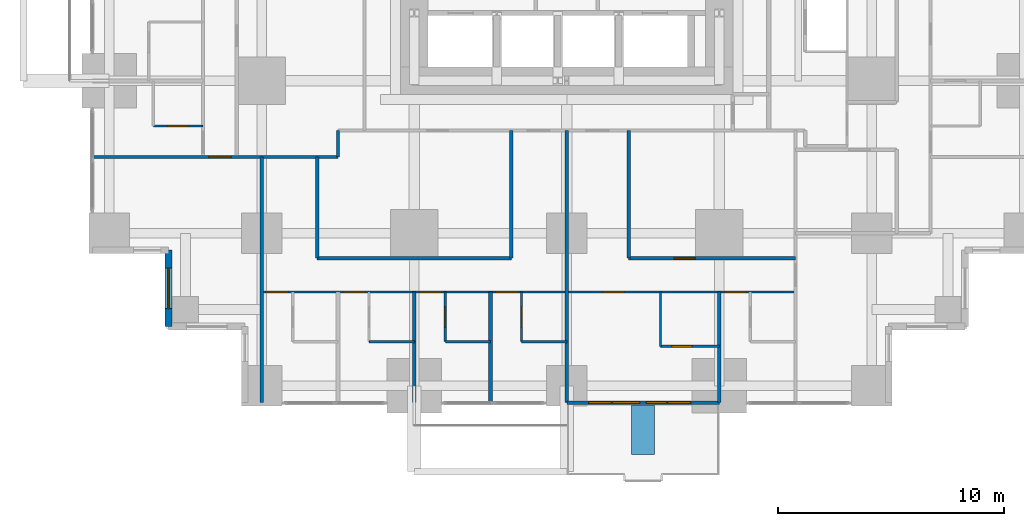
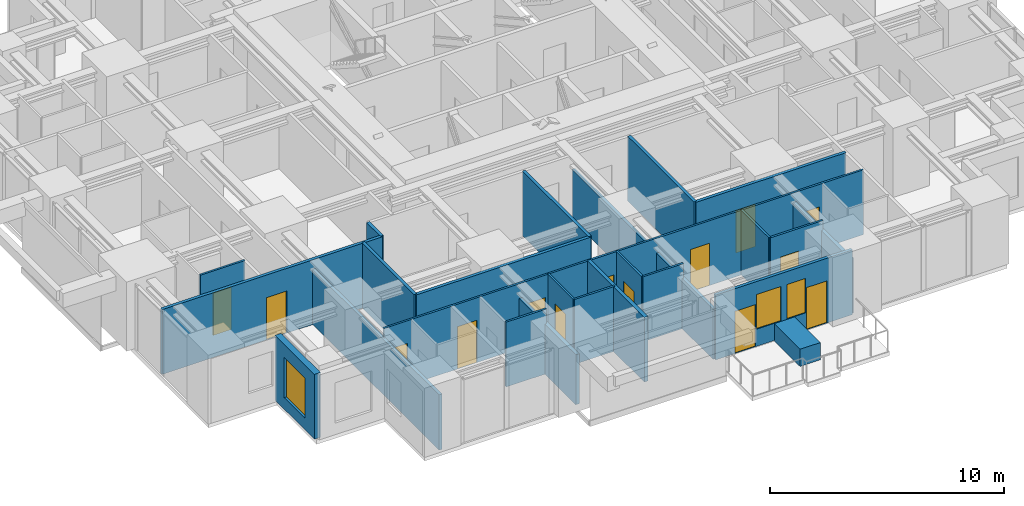
# One storey, part 7 of 13: 24 walls, 14 doors, 3 windows, 17 openings.
"""IFC4 building model written with IfcOpenShell, lengths in metres."""

from ifc_helpers import new_model, si_unit, direction, frame, frame_2d, origin, place, context, subcontext, project, spatial, rectangle, extrude, material, layer, layer_set, type_object, element, fill, save


model = new_model("IFC4")

# Units and contexts
model_context = context("Model", 3, precision=1e-05, world=origin(), true_north=direction((0.0, 1.0)))
body_context = subcontext(model_context, "Body", "Model", "MODEL_VIEW")
ifc_project = project(units=[si_unit("LENGTHUNIT", "METRE"), si_unit("AREAUNIT", "SQUARE_METRE"), si_unit("VOLUMEUNIT", "CUBIC_METRE"), si_unit("PLANEANGLEUNIT", "RADIAN"), si_unit("MASSUNIT", "GRAM", prefix="KILO")], contexts=[model_context])

# Site, building, storey
site_placement = place(None, origin())
site = spatial("IfcSite", under=ifc_project, at=site_placement, CompositionType="ELEMENT")
building_placement = place(site_placement, origin())
building = spatial("IfcBuilding", under=site, at=building_placement, Name="Nyansa Garden Tower", CompositionType="ELEMENT")
storey_placement = place(building_placement, frame((0.0, 0.0, 83.699951171875)))
storey = spatial("IfcBuildingStorey", under=building, at=storey_placement, Name="L22", CompositionType="ELEMENT", Elevation=83.699951171875)

# Walls
ifc_material_1 = material(Name="Dense blockwork, plastered both sides, 55 dB", Category="masonry")
ifc_layer_1 = layer(ifc_material_1, 0.175048828125)
ifc_layer_set_1 = layer_set([ifc_layer_1], Name="Acoustic party wall PW175")
wall_type_1 = type_object("IfcWallType", Name="Acoustic party wall PW175", PredefinedType="PARTITIONING", material=ifc_layer_set_1)
wall_1_placement = place(storey_placement, frame((13.5, -0.73388671875, 0.0), z_axis=(0.0, 0.0, 1.0), x_axis=(0.0, 1.0, 0.0)))
element("IfcWall", 1, at=wall_1_placement, inside=storey, type_object=wall_type_1, Name="Party wall", PredefinedType="PARTITIONING", context=body_context, shape_type="SweptSolid", body=[
    extrude(rectangle(XDim=4.8837890625, YDim=0.175048828125, at=frame_2d((2.44189453125, 0.0))), origin(), (0.0, 0.0, 1.0), 2.610107421875),
])
wall_2_placement = place(storey_placement, frame((16.875, -0.73388671875, 0.0), z_axis=(0.0, 0.0, 1.0), x_axis=(0.0, 1.0, 0.0)))
element("IfcWall", 2, at=wall_2_placement, inside=storey, type_object=wall_type_1, Name="Party wall", PredefinedType="PARTITIONING", context=body_context, shape_type="SweptSolid", body=[
    extrude(rectangle(XDim=4.8837890625, YDim=0.175048828125, at=frame_2d((2.44189453125, 0.0))), origin(), (0.0, 0.0, 1.0), 3.375),
])
wall_3_placement = place(storey_placement, frame((27.0, -0.73388671875, 0.0), z_axis=(0.0, 0.0, 1.0), x_axis=(0.0, 1.0, 0.0)))
element("IfcWall", 3, at=wall_3_placement, inside=storey, type_object=wall_type_1, Name="Party wall", PredefinedType="PARTITIONING", context=body_context, shape_type="SweptSolid", body=[
    extrude(rectangle(XDim=4.8837890625, YDim=0.175048828125, at=frame_2d((2.44189453125, 0.0))), origin(), (0.0, 0.0, 1.0), 2.876953125),
])

# Wall, openings, doors, windows
ifc_material_2 = material(Name="Black aluminium framed glazed screen", Category="aluminium")
ifc_layer_2 = layer(ifc_material_2, 0.14990234375)
ifc_layer_set_2 = layer_set([ifc_layer_2], Name="Balcony screen wall BW150")
wall_type_2 = type_object("IfcWallType", Name="Balcony screen wall BW150", PredefinedType="SOLIDWALL", material=ifc_layer_set_2)
wall_4_placement = place(storey_placement, frame((27.0, -0.75, 0.0), z_axis=(0.0, 0.0, 1.0), x_axis=(-1.0, 0.0, 0.0)))
wall_4 = element("IfcWall", 4, at=wall_4_placement, inside=storey, type_object=wall_type_2, Name="Glazed screen wall L22 S", PredefinedType="SOLIDWALL", context=body_context, shape_type="SweptSolid", body=[
    extrude(rectangle(XDim=6.75, YDim=0.14990234375, at=frame_2d((3.375, 0.0))), origin(), (0.0, 0.0, 1.0), 3.375),
])
opening_1_placement = place(wall_4_placement, frame((1.262451171875, 0.0, 0.0)))
opening_1 = element("IfcOpeningElement", 5, at=opening_1_placement, cuts=wall_4, Name="Opening D20", PredefinedType="OPENING", context=body_context, shape_type="SweptSolid", body=[
    extrude(rectangle(XDim=1.0, YDim=2.199951171875, at=frame_2d((0.5, 1.10009765625))), frame((0.0, 0.0849609375, 0.0), z_axis=(0.0, -1.0, 0.0), x_axis=(1.0, 0.0, 0.0)), (0.0, 0.0, 1.0), 0.169921875),
])
opening_2_placement = place(wall_4_placement, frame((2.324951171875, 0.0, 0.89990234375)))
opening_2 = element("IfcOpeningElement", 6, at=opening_2_placement, cuts=wall_4, Name="Opening W7", PredefinedType="OPENING", context=body_context, shape_type="SweptSolid", body=[
    extrude(rectangle(XDim=0.89990234375, YDim=1.800048828125, at=frame_2d((0.449951171875, 0.89990234375))), frame((0.0, 0.0849609375, 0.0), z_axis=(0.0, -1.0, 0.0), x_axis=(1.0, 0.0, 0.0)), (0.0, 0.0, 1.0), 0.169921875),
])
opening_3_placement = place(wall_4_placement, frame((4.78759765625, 0.0, 0.0)))
opening_3 = element("IfcOpeningElement", 7, at=opening_3_placement, cuts=wall_4, Name="Opening D20", PredefinedType="OPENING", context=body_context, shape_type="SweptSolid", body=[
    extrude(rectangle(XDim=1.0, YDim=2.199951171875, at=frame_2d((0.5, 1.10009765625))), frame((0.0, 0.0849609375, 0.0), z_axis=(0.0, -1.0, 0.0), x_axis=(1.0, 0.0, 0.0)), (0.0, 0.0, 1.0), 0.169921875),
])
opening_4_placement = place(wall_4_placement, frame((3.52490234375, 0.0, 0.89990234375)))
opening_4 = element("IfcOpeningElement", 8, at=opening_4_placement, cuts=wall_4, Name="Opening W6", PredefinedType="OPENING", context=body_context, shape_type="SweptSolid", body=[
    extrude(rectangle(XDim=1.199951171875, YDim=1.800048828125, at=frame_2d((0.60009765625, 0.89990234375))), frame((0.0, 0.0849609375, 0.0), z_axis=(0.0, -1.0, 0.0), x_axis=(1.0, 0.0, 0.0)), (0.0, 0.0, 1.0), 0.169921875),
])
ifc_material_3 = material(Name="Black aluminium framed glazed door", Category="aluminium")
door_type_1 = type_object("IfcDoorType", Name="Balcony door D20 1000x2200", OperationType="NOTDEFINED", PredefinedType="DOOR", material=ifc_material_3)
door_1_placement = place(opening_1_placement, origin())
door_1 = element("IfcDoor", 9, at=door_1_placement, inside=storey, type_object=door_type_1, Name="Balcony door L22", OperationType="SINGLE_SWING_LEFT", OverallHeight=2.199951171875, OverallWidth=1.0, PredefinedType="DOOR", context=body_context, shape_type="SweptSolid", body=[
    extrude(rectangle(XDim=1.0, YDim=2.199951171875, at=frame_2d((0.5, 1.10009765625))), frame((0.0, 0.02490234375, 0.0), z_axis=(0.0, -1.0, 0.0), x_axis=(1.0, 0.0, 0.0)), (0.0, 0.0, 1.0), 0.050048828125),
])
fill(opening_1, door_1)
door_2_placement = place(opening_3_placement, origin())
door_2 = element("IfcDoor", 10, at=door_2_placement, inside=storey, type_object=door_type_1, Name="Balcony door L22", OperationType="SINGLE_SWING_RIGHT", OverallHeight=2.199951171875, OverallWidth=1.0, PredefinedType="DOOR", context=body_context, shape_type="SweptSolid", body=[
    extrude(rectangle(XDim=1.0, YDim=2.199951171875, at=frame_2d((0.5, 1.10009765625))), frame((0.0, 0.02490234375, 0.0), z_axis=(0.0, -1.0, 0.0), x_axis=(1.0, 0.0, 0.0)), (0.0, 0.0, 1.0), 0.050048828125),
])
fill(opening_3, door_2)
ifc_material_4 = material(Name="Black aluminium frame, dark tinted double glazing", Category="aluminium")
window_type_1 = type_object("IfcWindowType", Name="Balcony window W6 1200x1800", PartitioningType="SINGLE_PANEL", PredefinedType="WINDOW", material=ifc_material_4)
window_1_placement = place(opening_4_placement, origin())
window_1 = element("IfcWindow", 11, at=window_1_placement, inside=storey, type_object=window_type_1, Name="Window L22", OverallHeight=1.800048828125, OverallWidth=1.199951171875, PartitioningType="SINGLE_PANEL", PredefinedType="WINDOW", context=body_context, shape_type="SweptSolid", body=[
    extrude(rectangle(XDim=1.199951171875, YDim=1.800048828125, at=frame_2d((0.60009765625, 0.89990234375))), frame((0.0, 0.030029296875, 0.0), z_axis=(0.0, -1.0, 0.0), x_axis=(1.0, 0.0, 0.0)), (0.0, 0.0, 1.0), 0.06005859375),
])
fill(opening_4, window_1)
ifc_material_5 = material(Name="Black aluminium frame, dark tinted double glazing", Category="aluminium")
window_type_2 = type_object("IfcWindowType", Name="Balcony window W7 900x1800", PartitioningType="SINGLE_PANEL", PredefinedType="WINDOW", material=ifc_material_5)
window_2_placement = place(opening_2_placement, origin())
window_2 = element("IfcWindow", 12, at=window_2_placement, inside=storey, type_object=window_type_2, Name="Window L22", OverallHeight=1.800048828125, OverallWidth=0.89990234375, PartitioningType="SINGLE_PANEL", PredefinedType="WINDOW", context=body_context, shape_type="SweptSolid", body=[
    extrude(rectangle(XDim=0.89990234375, YDim=1.800048828125, at=frame_2d((0.449951171875, 0.89990234375))), frame((0.0, 0.030029296875, 0.0), z_axis=(0.0, -1.0, 0.0), x_axis=(1.0, 0.0, 0.0)), (0.0, 0.0, 1.0), 0.06005859375),
])
fill(opening_2, window_2)

# Wall, opening, door
ifc_material_6 = material(Name="Blockwork, plastered both sides", Category="masonry")
ifc_layer_3 = layer(ifc_material_6, 0.14990234375)
ifc_layer_set_3 = layer_set([ifc_layer_3], Name="Partition PW150")
wall_type_3 = type_object("IfcWallType", Name="Partition PW150", PredefinedType="PARTITIONING", material=ifc_layer_set_3)
wall_5_placement = place(storey_placement, frame((-0.73388671875, 10.125, 0.0), z_axis=(0.0, 0.0, 1.0), x_axis=(1.0, 0.0, 0.0)))
wall_5 = element("IfcWall", 13, at=wall_5_placement, inside=storey, type_object=wall_type_3, Name="Partition", PredefinedType="PARTITIONING", context=body_context, shape_type="SweptSolid", body=[
    extrude(rectangle(XDim=10.85888671875, YDim=0.14990234375, at=frame_2d((5.429443359375, 0.0))), origin(), (0.0, 0.0, 1.0), 3.375),
])
opening_5_placement = place(wall_5_placement, frame((5.134033203125, 0.0, 0.0)))
opening_5 = element("IfcOpeningElement", 14, at=opening_5_placement, cuts=wall_5, Name="Opening D03", PredefinedType="OPENING", context=body_context, shape_type="SweptSolid", body=[
    extrude(rectangle(XDim=1.0, YDim=2.199951171875, at=frame_2d((0.5, 1.10009765625))), frame((0.0, 0.0849609375, 0.0), z_axis=(0.0, -1.0, 0.0), x_axis=(1.0, 0.0, 0.0)), (0.0, 0.0, 1.0), 0.169921875),
])
ifc_material_7 = material(Name="Timber flush door, 60 minute fire resisting", Category="wood")
door_type_2 = type_object("IfcDoorType", Name="Cluster entrance door D03 1000x2200", OperationType="SINGLE_SWING_LEFT", PredefinedType="DOOR", material=ifc_material_7)
door_3_placement = place(opening_5_placement, origin())
door_3 = element("IfcDoor", 15, at=door_3_placement, inside=storey, type_object=door_type_2, Name="Door L22-017", OperationType="SINGLE_SWING_LEFT", OverallHeight=2.199951171875, OverallWidth=1.0, PredefinedType="DOOR", context=body_context, shape_type="SweptSolid", body=[
    extrude(rectangle(XDim=1.0, YDim=2.199951171875, at=frame_2d((0.5, 1.10009765625))), frame((0.0, 0.02490234375, 0.0), z_axis=(0.0, -1.0, 0.0), x_axis=(1.0, 0.0, 0.0)), (0.0, 0.0, 1.0), 0.050048828125),
])
fill(opening_5, door_3)

# Walls
wall_6_placement = place(storey_placement, frame((6.75, -0.73388671875, 0.0), z_axis=(0.0, 0.0, 1.0), x_axis=(0.0, 1.0, 0.0)))
element("IfcWall", 16, at=wall_6_placement, inside=storey, type_object=wall_type_3, Name="Partition", PredefinedType="PARTITIONING", context=body_context, shape_type="SweptSolid", body=[
    extrude(rectangle(XDim=10.85888671875, YDim=0.14990234375, at=frame_2d((5.429443359375, 0.0))), origin(), (0.0, 0.0, 1.0), 2.876953125),
])
wall_7_placement = place(storey_placement, frame((9.199951171875, 5.64990234375, 0.0), z_axis=(0.0, 0.0, 1.0), x_axis=(0.0, 1.0, 0.0)))
element("IfcWall", 17, at=wall_7_placement, inside=storey, type_object=wall_type_3, Name="Partition", PredefinedType="PARTITIONING", context=body_context, shape_type="SweptSolid", body=[
    extrude(rectangle(XDim=4.47509765625, YDim=0.14990234375, at=frame_2d((2.237548828125, 0.0))), origin(), (0.0, 0.0, 1.0), 3.375),
])
wall_8_placement = place(storey_placement, frame((9.199951171875, 5.64990234375, 0.0), z_axis=(0.0, 0.0, 1.0), x_axis=(1.0, 0.0, 0.0)))
element("IfcWall", 18, at=wall_8_placement, inside=storey, type_object=wall_type_3, Name="Partition", PredefinedType="PARTITIONING", context=body_context, shape_type="SweptSolid", body=[
    extrude(rectangle(XDim=8.60009765625, YDim=0.14990234375, at=frame_2d((4.300048828125, 0.0))), origin(), (0.0, 0.0, 1.0), 3.375),
])
wall_9_placement = place(storey_placement, frame((10.125, 10.125, 0.0), z_axis=(0.0, 0.0, 1.0), x_axis=(0.0, 1.0, 0.0)))
element("IfcWall", 19, at=wall_9_placement, inside=storey, type_object=wall_type_3, Name="Partition", PredefinedType="PARTITIONING", context=body_context, shape_type="SweptSolid", body=[
    extrude(rectangle(XDim=1.175048828125, YDim=0.14990234375, at=frame_2d((0.58740234375, 0.0))), origin(), (0.0, 0.0, 1.0), 3.375),
])
wall_10_placement = place(storey_placement, frame((17.800048828125, 5.64990234375, 0.0), z_axis=(0.0, 0.0, 1.0), x_axis=(0.0, 1.0, 0.0)))
element("IfcWall", 20, at=wall_10_placement, inside=storey, type_object=wall_type_3, Name="Partition", PredefinedType="PARTITIONING", context=body_context, shape_type="SweptSolid", body=[
    extrude(rectangle(XDim=5.650146484375, YDim=0.14990234375, at=frame_2d((2.8251953125, 0.0))), origin(), (0.0, 0.0, 1.0), 3.375),
])
wall_11_placement = place(storey_placement, frame((20.25, -0.73388671875, 0.0), z_axis=(0.0, 0.0, 1.0), x_axis=(0.0, 1.0, 0.0)))
element("IfcWall", 21, at=wall_11_placement, inside=storey, type_object=wall_type_3, Name="Partition", PredefinedType="PARTITIONING", context=body_context, shape_type="SweptSolid", body=[
    extrude(rectangle(XDim=12.033935546875, YDim=0.14990234375, at=frame_2d((6.01708984375, 0.0))), origin(), (0.0, 0.0, 1.0), 2.610107421875),
])

# Wall, opening, door
wall_12_placement = place(storey_placement, frame((22.987548828125, 5.64990234375, 0.0), z_axis=(0.0, 0.0, 1.0), x_axis=(1.0, 0.0, 0.0)))
wall_12 = element("IfcWall", 22, at=wall_12_placement, inside=storey, type_object=wall_type_3, Name="Partition", PredefinedType="PARTITIONING", context=body_context, shape_type="SweptSolid", body=[
    extrude(rectangle(XDim=7.387451171875, YDim=0.14990234375, at=frame_2d((3.69384765625, 0.0))), origin(), (0.0, 0.0, 1.0), 3.375),
])
opening_6_placement = place(wall_12_placement, frame((2.0, 0.0, 0.0)))
opening_6 = element("IfcOpeningElement", 23, at=opening_6_placement, cuts=wall_12, Name="Opening D01", PredefinedType="OPENING", context=body_context, shape_type="SweptSolid", body=[
    extrude(rectangle(XDim=0.949951171875, YDim=2.199951171875, at=frame_2d((0.47509765625, 1.10009765625))), frame((0.0, 0.0849609375, 0.0), z_axis=(0.0, -1.0, 0.0), x_axis=(1.0, 0.0, 0.0)), (0.0, 0.0, 1.0), 0.169921875),
])
ifc_material_8 = material(Name="Timber flush door, 30 minute fire resisting", Category="wood")
door_type_3 = type_object("IfcDoorType", Name="Bedroom door D01 950x2200", OperationType="SINGLE_SWING_LEFT", PredefinedType="DOOR", material=ifc_material_8)
door_4_placement = place(opening_6_placement, origin())
door_4 = element("IfcDoor", 24, at=door_4_placement, inside=storey, type_object=door_type_3, Name="Door L22-033", OperationType="SINGLE_SWING_LEFT", OverallHeight=2.199951171875, OverallWidth=0.949951171875, PredefinedType="DOOR", context=body_context, shape_type="SweptSolid", body=[
    extrude(rectangle(XDim=0.949951171875, YDim=2.199951171875, at=frame_2d((0.47509765625, 1.10009765625))), frame((0.0, 0.02490234375, 0.0), z_axis=(0.0, -1.0, 0.0), x_axis=(1.0, 0.0, 0.0)), (0.0, 0.0, 1.0), 0.050048828125),
])
fill(opening_6, door_4)

# Wall
wall_13_placement = place(storey_placement, frame((22.988037109375, 5.64990234375, 0.0), z_axis=(0.0, 0.0, 1.0), x_axis=(0.0, 1.0, 0.0)))
element("IfcWall", 25, at=wall_13_placement, inside=storey, type_object=wall_type_3, Name="Partition", PredefinedType="PARTITIONING", context=body_context, shape_type="SweptSolid", body=[
    extrude(rectangle(XDim=5.650146484375, YDim=0.14990234375, at=frame_2d((2.8251953125, 0.0))), origin(), (0.0, 0.0, 1.0), 3.375),
])

# Wall, opening, window
ifc_material_9 = material(Name="Turquoise glazed tile on concrete blockwork", Category="masonry")
ifc_layer_4 = layer(ifc_material_9, 0.300048828125)
ifc_layer_set_4 = layer_set([ifc_layer_4], Name="Tiled corner wall TW300")
wall_type_4 = type_object("IfcWallType", Name="Tiled corner wall TW300", PredefinedType="SOLIDWALL", material=ifc_layer_set_4)
wall_14_placement = place(storey_placement, frame((2.625, 6.0, 0.0), z_axis=(0.0, 0.0, 1.0), x_axis=(0.0, -1.0, 0.0)))
wall_14 = element("IfcWall", 26, at=wall_14_placement, inside=storey, type_object=wall_type_4, Name="Tiled corner wall L22", PredefinedType="SOLIDWALL", context=body_context, shape_type="SweptSolid", body=[
    extrude(rectangle(XDim=3.375, YDim=0.300048828125, at=frame_2d((1.6875, 0.0))), origin(), (0.0, 0.0, 1.0), 3.375),
])
opening_7_placement = place(wall_14_placement, frame((0.78759765625, 0.0, 0.60009765625)))
opening_7 = element("IfcOpeningElement", 27, at=opening_7_placement, cuts=wall_14, Name="Opening W2", PredefinedType="OPENING", context=body_context, shape_type="SweptSolid", body=[
    extrude(rectangle(XDim=1.800048828125, YDim=2.10009765625, at=frame_2d((0.89990234375, 1.050048828125))), frame((0.0, 0.159912109375, 0.0), z_axis=(0.0, -1.0, 0.0), x_axis=(1.0, 0.0, 0.0)), (0.0, 0.0, 1.0), 0.320068359375),
])
ifc_material_10 = material(Name="Black aluminium frame, dark tinted double glazing", Category="aluminium")
window_type_3 = type_object("IfcWindowType", Name="Window W2 1800x2100", PartitioningType="SINGLE_PANEL", PredefinedType="WINDOW", material=ifc_material_10)
window_3_placement = place(opening_7_placement, origin())
window_3 = element("IfcWindow", 28, at=window_3_placement, inside=storey, type_object=window_type_3, Name="Corner window L22", OverallHeight=2.10009765625, OverallWidth=1.800048828125, PartitioningType="SINGLE_PANEL", PredefinedType="WINDOW", context=body_context, shape_type="SweptSolid", body=[
    extrude(rectangle(XDim=1.800048828125, YDim=2.10009765625, at=frame_2d((0.89990234375, 1.050048828125))), frame((0.0, 0.030029296875, 0.0), z_axis=(0.0, -1.0, 0.0), x_axis=(1.0, 0.0, 0.0)), (0.0, 0.0, 1.0), 0.06005859375),
])
fill(opening_7, window_3)

# Wall
ifc_material_11 = material(Name="Concrete C40/50 planter, waterproofed", Category="concrete")
ifc_layer_5 = layer(ifc_material_11, 1.0)
ifc_layer_set_5 = layer_set([ifc_layer_5], Name="Tree planter TP1")
wall_type_5 = type_object("IfcWallType", Name="Tree planter TP1", PredefinedType="USERDEFINED", material=ifc_layer_set_5)
wall_15_placement = place(storey_placement, frame((23.625, -0.85009765625, 0.0), z_axis=(0.0, 0.0, 1.0), x_axis=(0.0, -1.0, 0.0)))
element("IfcWall", 29, at=wall_15_placement, inside=storey, type_object=wall_type_5, Name="Tree planter L22", ObjectType="TREE PLANTER", PredefinedType="USERDEFINED", context=body_context, shape_type="SweptSolid", body=[
    extrude(rectangle(XDim=2.199951171875, YDim=1.0, at=frame_2d((1.10009765625, 0.0))), origin(), (0.0, 0.0, 1.0), 0.900146484375),
])

# Wall, opening, door
ifc_material_12 = material(Name="Moisture resistant board on steel studs, tiled", Category="steel")
ifc_layer_6 = layer(ifc_material_12, 0.10009765625)
ifc_layer_set_6 = layer_set([ifc_layer_6], Name="Wet wall PW100")
wall_type_6 = type_object("IfcWallType", Name="Wet wall PW100", PredefinedType="PARTITIONING", material=ifc_layer_set_6)
wall_16_placement = place(storey_placement, frame((1.949951171875, 11.5, 0.0), z_axis=(0.0, 0.0, 1.0), x_axis=(1.0, 0.0, 0.0)))
wall_16 = element("IfcWall", 30, at=wall_16_placement, inside=storey, type_object=wall_type_6, Name="Wet wall", PredefinedType="PARTITIONING", context=body_context, shape_type="SweptSolid", body=[
    extrude(rectangle(XDim=2.199951171875, YDim=0.10009765625, at=frame_2d((1.10009765625, 0.0))), origin(), (0.0, 0.0, 1.0), 3.375),
])
opening_8_placement = place(wall_16_placement, frame((0.64990234375, 0.0, 0.0)))
opening_8 = element("IfcOpeningElement", 31, at=opening_8_placement, cuts=wall_16, Name="Opening D02", PredefinedType="OPENING", context=body_context, shape_type="SweptSolid", body=[
    extrude(rectangle(XDim=0.89990234375, YDim=2.199951171875, at=frame_2d((0.449951171875, 1.10009765625))), frame((0.0, 0.06005859375, 0.0), z_axis=(0.0, -1.0, 0.0), x_axis=(1.0, 0.0, 0.0)), (0.0, 0.0, 1.0), 0.1201171875),
])
ifc_material_13 = material(Name="Timber flush door", Category="wood")
door_type_4 = type_object("IfcDoorType", Name="En-suite door D02 900x2200", OperationType="SINGLE_SWING_RIGHT", PredefinedType="DOOR", material=ifc_material_13)
door_5_placement = place(opening_8_placement, origin())
door_5 = element("IfcDoor", 32, at=door_5_placement, inside=storey, type_object=door_type_4, Name="Door L22-061", OperationType="SINGLE_SWING_RIGHT", OverallHeight=2.199951171875, OverallWidth=0.89990234375, PredefinedType="DOOR", context=body_context, shape_type="SweptSolid", body=[
    extrude(rectangle(XDim=0.89990234375, YDim=2.199951171875, at=frame_2d((0.449951171875, 1.10009765625))), frame((0.0, 0.02490234375, 0.0), z_axis=(0.0, -1.0, 0.0), x_axis=(1.0, 0.0, 0.0)), (0.0, 0.0, 1.0), 0.050048828125),
])
fill(opening_8, door_5)

# Wall, openings, doors
wall_17_placement = place(storey_placement, frame((6.75, 4.14990234375, 0.0), z_axis=(0.0, 0.0, 1.0), x_axis=(1.0, 0.0, 0.0)))
wall_17 = element("IfcWall", 33, at=wall_17_placement, inside=storey, type_object=wall_type_6, Name="Wet wall", PredefinedType="PARTITIONING", context=body_context, shape_type="SweptSolid", body=[
    extrude(rectangle(XDim=23.625, YDim=0.10009765625, at=frame_2d((11.8125, 0.0))), origin(), (0.0, 0.0, 1.0), 3.375),
])
opening_9_placement = place(wall_17_placement, frame((0.199951171875, 0.0, 0.0)))
opening_9 = element("IfcOpeningElement", 34, at=opening_9_placement, cuts=wall_17, Name="Opening D01", PredefinedType="OPENING", context=body_context, shape_type="SweptSolid", body=[
    extrude(rectangle(XDim=0.949951171875, YDim=2.199951171875, at=frame_2d((0.47509765625, 1.10009765625))), frame((0.0, 0.06005859375, 0.0), z_axis=(0.0, -1.0, 0.0), x_axis=(1.0, 0.0, 0.0)), (0.0, 0.0, 1.0), 0.1201171875),
])
opening_10_placement = place(wall_17_placement, frame((3.625, 0.0, 0.0)))
opening_10 = element("IfcOpeningElement", 35, at=opening_10_placement, cuts=wall_17, Name="Opening D01", PredefinedType="OPENING", context=body_context, shape_type="SweptSolid", body=[
    extrude(rectangle(XDim=0.949951171875, YDim=2.199951171875, at=frame_2d((0.47509765625, 1.10009765625))), frame((0.0, 0.06005859375, 0.0), z_axis=(0.0, -1.0, 0.0), x_axis=(1.0, 0.0, 0.0)), (0.0, 0.0, 1.0), 0.1201171875),
])
opening_11_placement = place(wall_17_placement, frame((7.0, 0.0, 0.0)))
opening_11 = element("IfcOpeningElement", 36, at=opening_11_placement, cuts=wall_17, Name="Opening D01", PredefinedType="OPENING", context=body_context, shape_type="SweptSolid", body=[
    extrude(rectangle(XDim=0.949951171875, YDim=2.199951171875, at=frame_2d((0.47509765625, 1.10009765625))), frame((0.0, 0.06005859375, 0.0), z_axis=(0.0, -1.0, 0.0), x_axis=(1.0, 0.0, 0.0)), (0.0, 0.0, 1.0), 0.1201171875),
])
opening_12_placement = place(wall_17_placement, frame((10.375, 0.0, 0.0)))
opening_12 = element("IfcOpeningElement", 37, at=opening_12_placement, cuts=wall_17, Name="Opening D01", PredefinedType="OPENING", context=body_context, shape_type="SweptSolid", body=[
    extrude(rectangle(XDim=0.949951171875, YDim=2.199951171875, at=frame_2d((0.47509765625, 1.10009765625))), frame((0.0, 0.06005859375, 0.0), z_axis=(0.0, -1.0, 0.0), x_axis=(1.0, 0.0, 0.0)), (0.0, 0.0, 1.0), 0.1201171875),
])
opening_13_placement = place(wall_17_placement, frame((15.10009765625, 0.0, 0.0)))
opening_13 = element("IfcOpeningElement", 38, at=opening_13_placement, cuts=wall_17, Name="Opening D14", PredefinedType="OPENING", context=body_context, shape_type="SweptSolid", body=[
    extrude(rectangle(XDim=0.949951171875, YDim=2.199951171875, at=frame_2d((0.47509765625, 1.10009765625))), frame((0.0, 0.06005859375, 0.0), z_axis=(0.0, -1.0, 0.0), x_axis=(1.0, 0.0, 0.0)), (0.0, 0.0, 1.0), 0.1201171875),
])
opening_14_placement = place(wall_17_placement, frame((20.5, 0.0, 0.0)))
opening_14 = element("IfcOpeningElement", 39, at=opening_14_placement, cuts=wall_17, Name="Opening D14", PredefinedType="OPENING", context=body_context, shape_type="SweptSolid", body=[
    extrude(rectangle(XDim=0.949951171875, YDim=2.199951171875, at=frame_2d((0.47509765625, 1.10009765625))), frame((0.0, 0.06005859375, 0.0), z_axis=(0.0, -1.0, 0.0), x_axis=(1.0, 0.0, 0.0)), (0.0, 0.0, 1.0), 0.1201171875),
])
door_6_placement = place(opening_9_placement, origin())
door_6 = element("IfcDoor", 40, at=door_6_placement, inside=storey, type_object=door_type_3, Name="Door L22-018", OperationType="SINGLE_SWING_LEFT", OverallHeight=2.199951171875, OverallWidth=0.949951171875, PredefinedType="DOOR", context=body_context, shape_type="SweptSolid", body=[
    extrude(rectangle(XDim=0.949951171875, YDim=2.199951171875, at=frame_2d((0.47509765625, 1.10009765625))), frame((0.0, 0.02490234375, 0.0), z_axis=(0.0, -1.0, 0.0), x_axis=(1.0, 0.0, 0.0)), (0.0, 0.0, 1.0), 0.050048828125),
])
fill(opening_9, door_6)
door_7_placement = place(opening_10_placement, origin())
door_7 = element("IfcDoor", 41, at=door_7_placement, inside=storey, type_object=door_type_3, Name="Door L22-020", OperationType="SINGLE_SWING_LEFT", OverallHeight=2.199951171875, OverallWidth=0.949951171875, PredefinedType="DOOR", context=body_context, shape_type="SweptSolid", body=[
    extrude(rectangle(XDim=0.949951171875, YDim=2.199951171875, at=frame_2d((0.47509765625, 1.10009765625))), frame((0.0, 0.02490234375, 0.0), z_axis=(0.0, -1.0, 0.0), x_axis=(1.0, 0.0, 0.0)), (0.0, 0.0, 1.0), 0.050048828125),
])
fill(opening_10, door_7)
door_8_placement = place(opening_11_placement, origin())
door_8 = element("IfcDoor", 42, at=door_8_placement, inside=storey, type_object=door_type_3, Name="Door L22-022", OperationType="SINGLE_SWING_LEFT", OverallHeight=2.199951171875, OverallWidth=0.949951171875, PredefinedType="DOOR", context=body_context, shape_type="SweptSolid", body=[
    extrude(rectangle(XDim=0.949951171875, YDim=2.199951171875, at=frame_2d((0.47509765625, 1.10009765625))), frame((0.0, 0.02490234375, 0.0), z_axis=(0.0, -1.0, 0.0), x_axis=(1.0, 0.0, 0.0)), (0.0, 0.0, 1.0), 0.050048828125),
])
fill(opening_11, door_8)
door_9_placement = place(opening_12_placement, origin())
door_9 = element("IfcDoor", 43, at=door_9_placement, inside=storey, type_object=door_type_3, Name="Door L22-024", OperationType="SINGLE_SWING_LEFT", OverallHeight=2.199951171875, OverallWidth=0.949951171875, PredefinedType="DOOR", context=body_context, shape_type="SweptSolid", body=[
    extrude(rectangle(XDim=0.949951171875, YDim=2.199951171875, at=frame_2d((0.47509765625, 1.10009765625))), frame((0.0, 0.02490234375, 0.0), z_axis=(0.0, -1.0, 0.0), x_axis=(1.0, 0.0, 0.0)), (0.0, 0.0, 1.0), 0.050048828125),
])
fill(opening_12, door_9)
ifc_material_14 = material(Name="Timber flush door, 60 minute fire resisting, self-closing", Category="wood")
door_type_5 = type_object("IfcDoorType", Name="Studio entrance door D14 950x2200", OperationType="SINGLE_SWING_LEFT", PredefinedType="DOOR", material=ifc_material_14)
door_10_placement = place(opening_13_placement, origin())
door_10 = element("IfcDoor", 44, at=door_10_placement, inside=storey, type_object=door_type_5, Name="Door L22-027", OperationType="SINGLE_SWING_LEFT", OverallHeight=2.199951171875, OverallWidth=0.949951171875, PredefinedType="DOOR", context=body_context, shape_type="SweptSolid", body=[
    extrude(rectangle(XDim=0.949951171875, YDim=2.199951171875, at=frame_2d((0.47509765625, 1.10009765625))), frame((0.0, 0.02490234375, 0.0), z_axis=(0.0, -1.0, 0.0), x_axis=(1.0, 0.0, 0.0)), (0.0, 0.0, 1.0), 0.050048828125),
])
fill(opening_13, door_10)
door_11_placement = place(opening_14_placement, origin())
door_11 = element("IfcDoor", 45, at=door_11_placement, inside=storey, type_object=door_type_5, Name="Door L22-029", OperationType="SINGLE_SWING_LEFT", OverallHeight=2.199951171875, OverallWidth=0.949951171875, PredefinedType="DOOR", context=body_context, shape_type="SweptSolid", body=[
    extrude(rectangle(XDim=0.949951171875, YDim=2.199951171875, at=frame_2d((0.47509765625, 1.10009765625))), frame((0.0, 0.02490234375, 0.0), z_axis=(0.0, -1.0, 0.0), x_axis=(1.0, 0.0, 0.0)), (0.0, 0.0, 1.0), 0.050048828125),
])
fill(opening_14, door_11)

# Wall
wall_18_placement = place(storey_placement, frame((11.5, 1.949951171875, 0.0), z_axis=(0.0, 0.0, 1.0), x_axis=(1.0, 0.0, 0.0)))
element("IfcWall", 46, at=wall_18_placement, inside=storey, type_object=wall_type_6, Name="Wet wall", PredefinedType="PARTITIONING", context=body_context, shape_type="SweptSolid", body=[
    extrude(rectangle(XDim=2.0, YDim=0.10009765625, at=frame_2d((1.0, 0.0))), origin(), (0.0, 0.0, 1.0), 3.375),
])

# Wall, opening, door
wall_19_placement = place(storey_placement, frame((14.875, 1.949951171875, 0.0), z_axis=(0.0, 0.0, 1.0), x_axis=(0.0, 1.0, 0.0)))
wall_19 = element("IfcWall", 47, at=wall_19_placement, inside=storey, type_object=wall_type_6, Name="Wet wall", PredefinedType="PARTITIONING", context=body_context, shape_type="SweptSolid", body=[
    extrude(rectangle(XDim=2.199951171875, YDim=0.10009765625, at=frame_2d((1.10009765625, 0.0))), origin(), (0.0, 0.0, 1.0), 3.375),
])
opening_15_placement = place(wall_19_placement, frame((0.64990234375, 0.0, 0.0)))
opening_15 = element("IfcOpeningElement", 48, at=opening_15_placement, cuts=wall_19, Name="Opening D02", PredefinedType="OPENING", context=body_context, shape_type="SweptSolid", body=[
    extrude(rectangle(XDim=0.89990234375, YDim=2.199951171875, at=frame_2d((0.449951171875, 1.10009765625))), frame((0.0, 0.06005859375, 0.0), z_axis=(0.0, -1.0, 0.0), x_axis=(1.0, 0.0, 0.0)), (0.0, 0.0, 1.0), 0.1201171875),
])
door_12_placement = place(opening_15_placement, origin())
door_12 = element("IfcDoor", 49, at=door_12_placement, inside=storey, type_object=door_type_4, Name="Door L22-023", OperationType="SINGLE_SWING_RIGHT", OverallHeight=2.199951171875, OverallWidth=0.89990234375, PredefinedType="DOOR", context=body_context, shape_type="SweptSolid", body=[
    extrude(rectangle(XDim=0.89990234375, YDim=2.199951171875, at=frame_2d((0.449951171875, 1.10009765625))), frame((0.0, 0.02490234375, 0.0), z_axis=(0.0, -1.0, 0.0), x_axis=(1.0, 0.0, 0.0)), (0.0, 0.0, 1.0), 0.050048828125),
])
fill(opening_15, door_12)

# Wall
wall_20_placement = place(storey_placement, frame((14.875, 1.949951171875, 0.0), z_axis=(0.0, 0.0, 1.0), x_axis=(1.0, 0.0, 0.0)))
element("IfcWall", 50, at=wall_20_placement, inside=storey, type_object=wall_type_6, Name="Wet wall", PredefinedType="PARTITIONING", context=body_context, shape_type="SweptSolid", body=[
    extrude(rectangle(XDim=2.0, YDim=0.10009765625, at=frame_2d((1.0, 0.0))), origin(), (0.0, 0.0, 1.0), 3.375),
])

# Wall, opening, door
wall_21_placement = place(storey_placement, frame((18.25, 1.949951171875, 0.0), z_axis=(0.0, 0.0, 1.0), x_axis=(0.0, 1.0, 0.0)))
wall_21 = element("IfcWall", 51, at=wall_21_placement, inside=storey, type_object=wall_type_6, Name="Wet wall", PredefinedType="PARTITIONING", context=body_context, shape_type="SweptSolid", body=[
    extrude(rectangle(XDim=2.199951171875, YDim=0.10009765625, at=frame_2d((1.10009765625, 0.0))), origin(), (0.0, 0.0, 1.0), 3.375),
])
opening_16_placement = place(wall_21_placement, frame((0.64990234375, 0.0, 0.0)))
opening_16 = element("IfcOpeningElement", 52, at=opening_16_placement, cuts=wall_21, Name="Opening D02", PredefinedType="OPENING", context=body_context, shape_type="SweptSolid", body=[
    extrude(rectangle(XDim=0.89990234375, YDim=2.199951171875, at=frame_2d((0.449951171875, 1.10009765625))), frame((0.0, 0.06005859375, 0.0), z_axis=(0.0, -1.0, 0.0), x_axis=(1.0, 0.0, 0.0)), (0.0, 0.0, 1.0), 0.1201171875),
])
door_13_placement = place(opening_16_placement, origin())
door_13 = element("IfcDoor", 53, at=door_13_placement, inside=storey, type_object=door_type_4, Name="Door L22-025", OperationType="SINGLE_SWING_RIGHT", OverallHeight=2.199951171875, OverallWidth=0.89990234375, PredefinedType="DOOR", context=body_context, shape_type="SweptSolid", body=[
    extrude(rectangle(XDim=0.89990234375, YDim=2.199951171875, at=frame_2d((0.449951171875, 1.10009765625))), frame((0.0, 0.02490234375, 0.0), z_axis=(0.0, -1.0, 0.0), x_axis=(1.0, 0.0, 0.0)), (0.0, 0.0, 1.0), 0.050048828125),
])
fill(opening_16, door_13)

# Walls
wall_22_placement = place(storey_placement, frame((18.25, 1.949951171875, 0.0), z_axis=(0.0, 0.0, 1.0), x_axis=(1.0, 0.0, 0.0)))
element("IfcWall", 54, at=wall_22_placement, inside=storey, type_object=wall_type_6, Name="Wet wall", PredefinedType="PARTITIONING", context=body_context, shape_type="SweptSolid", body=[
    extrude(rectangle(XDim=2.0, YDim=0.10009765625, at=frame_2d((1.0, 0.0))), origin(), (0.0, 0.0, 1.0), 3.375),
])
wall_23_placement = place(storey_placement, frame((24.39990234375, 1.75, 0.0), z_axis=(0.0, 0.0, 1.0), x_axis=(0.0, 1.0, 0.0)))
element("IfcWall", 55, at=wall_23_placement, inside=storey, type_object=wall_type_6, Name="Wet wall", PredefinedType="PARTITIONING", context=body_context, shape_type="SweptSolid", body=[
    extrude(rectangle(XDim=2.39990234375, YDim=0.10009765625, at=frame_2d((1.199951171875, 0.0))), origin(), (0.0, 0.0, 1.0), 3.375),
])

# Wall, opening, door
wall_24_placement = place(storey_placement, frame((24.39990234375, 1.75, 0.0), z_axis=(0.0, 0.0, 1.0), x_axis=(1.0, 0.0, 0.0)))
wall_24 = element("IfcWall", 56, at=wall_24_placement, inside=storey, type_object=wall_type_6, Name="Wet wall", PredefinedType="PARTITIONING", context=body_context, shape_type="SweptSolid", body=[
    extrude(rectangle(XDim=2.60009765625, YDim=0.10009765625, at=frame_2d((1.300048828125, 0.0))), origin(), (0.0, 0.0, 1.0), 3.375),
])
opening_17_placement = place(wall_24_placement, frame((0.5, 0.0, 0.0)))
opening_17 = element("IfcOpeningElement", 57, at=opening_17_placement, cuts=wall_24, Name="Opening D02", PredefinedType="OPENING", context=body_context, shape_type="SweptSolid", body=[
    extrude(rectangle(XDim=0.89990234375, YDim=2.199951171875, at=frame_2d((0.449951171875, 1.10009765625))), frame((0.0, 0.06005859375, 0.0), z_axis=(0.0, -1.0, 0.0), x_axis=(1.0, 0.0, 0.0)), (0.0, 0.0, 1.0), 0.1201171875),
])
door_14_placement = place(opening_17_placement, origin())
door_14 = element("IfcDoor", 58, at=door_14_placement, inside=storey, type_object=door_type_4, Name="Door L22-028", OperationType="SINGLE_SWING_RIGHT", OverallHeight=2.199951171875, OverallWidth=0.89990234375, PredefinedType="DOOR", context=body_context, shape_type="SweptSolid", body=[
    extrude(rectangle(XDim=0.89990234375, YDim=2.199951171875, at=frame_2d((0.449951171875, 1.10009765625))), frame((0.0, 0.02490234375, 0.0), z_axis=(0.0, -1.0, 0.0), x_axis=(1.0, 0.0, 0.0)), (0.0, 0.0, 1.0), 0.050048828125),
])
fill(opening_17, door_14)

save(model, "model.ifc")
